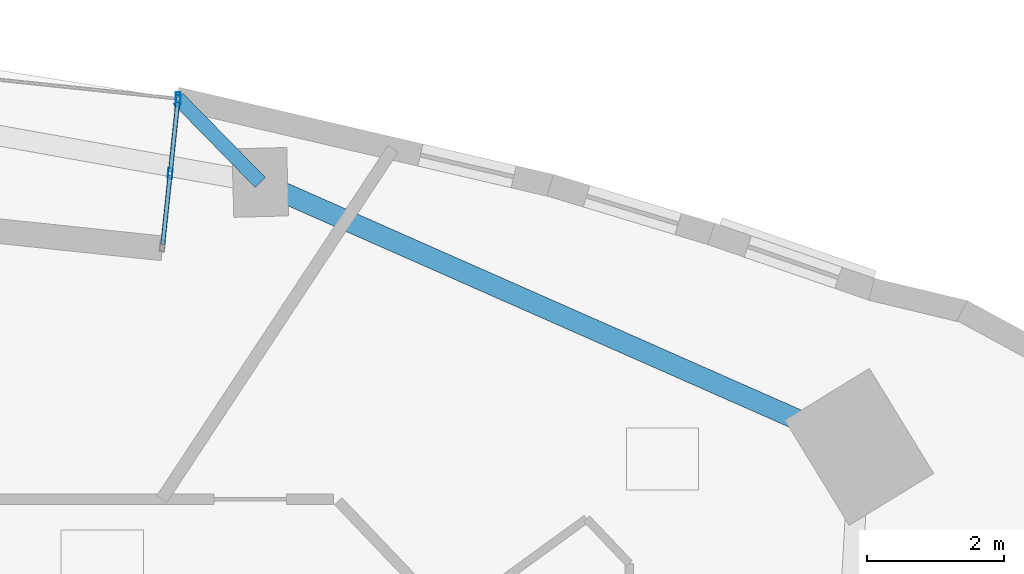
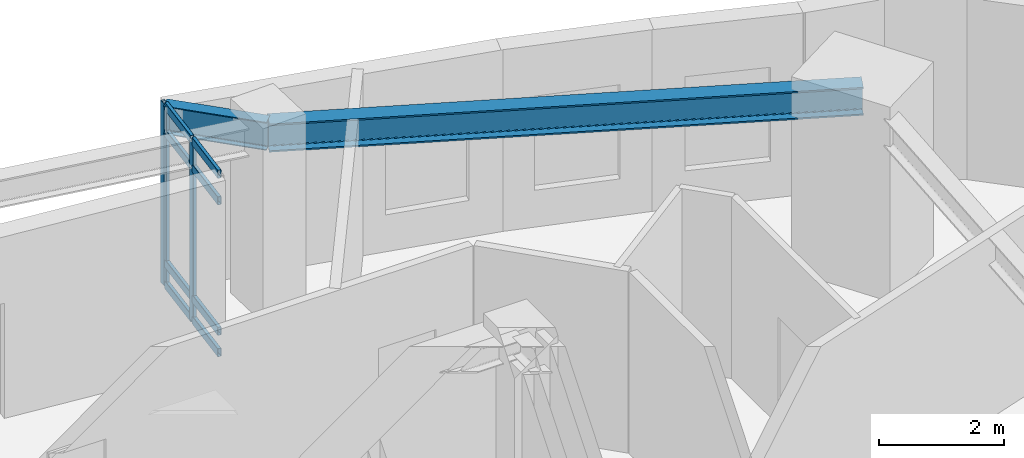
# One storey, part 3 of 11: 11 members, 2 beams, 1 element without a shape of its own.
"""IFC4 building model written with IfcOpenShell, lengths in metres."""

from ifc_helpers import new_model, si_unit, direction, frame, origin, origin_2d, place, context, subcontext, project, spatial, hollow_rectangle, i_section, extrude, material, layer, layer_set, material_profile, profile_set, type_object, element, aggregate, save


model = new_model("IFC4")

# Units and contexts
model_context = context("Model", 3, precision=1e-05, world=origin(), true_north=direction((0.0, 1.0)))
body_context = subcontext(model_context, "Body", "Model", "MODEL_VIEW")
ifc_project = project(units=[si_unit("LENGTHUNIT", "METRE"), si_unit("AREAUNIT", "SQUARE_METRE"), si_unit("VOLUMEUNIT", "CUBIC_METRE"), si_unit("PLANEANGLEUNIT", "RADIAN"), si_unit("MASSUNIT", "GRAM", prefix="KILO")], contexts=[model_context])

# Site, building, storey
site_placement = place(None, origin())
site = spatial("IfcSite", under=ifc_project, at=site_placement, CompositionType="ELEMENT")
building_placement = place(site_placement, origin())
building = spatial("IfcBuilding", under=site, at=building_placement, Name="Ndelora Gate Hotel", CompositionType="ELEMENT")
storey_placement = place(building_placement, frame((0.0, 0.0, 186.550048828125)))
storey = spatial("IfcBuildingStorey", under=building, at=storey_placement, Name="L46", CompositionType="ELEMENT", Elevation=186.550048828125)

# Beams
ifc_material_1 = material(Name="Steel S355", Category="steel")
ifc_material_profile_1 = material_profile(ifc_material_1, i_section(OverallWidth=0.2099609375, OverallDepth=0.550048828125, WebThickness=0.010986328125, FlangeThickness=0.01708984375, FilletRadius=0.02392578125, at=origin_2d()), Name="IPE 550")
ifc_profile_set_1 = profile_set([ifc_material_profile_1], Name="Steel S355")
beam_type_1 = type_object("IfcBeamType", Name="BM-RAD-550", PredefinedType="BEAM", material=ifc_profile_set_1)
beam_1_placement = place(storey_placement, frame((7.50830078125, 13.828369140625, 3.27490234375), z_axis=(-0.69995182335, 0.71419006223, 0.0), x_axis=(-0.71419006223, -0.69995182335, 0.0)))
element("IfcBeam", 1, at=beam_1_placement, inside=storey, type_object=beam_type_1, Name="L46 Sky-Garden Loggia Column Bracket 1", PredefinedType="BEAM", context=body_context, shape_type="SweptSolid", body=[
    extrude(i_section(OverallWidth=0.2099609375, OverallDepth=0.550048828125, WebThickness=0.010986328125, FlangeThickness=0.01708984375, FilletRadius=0.02392578125, at=origin_2d()), origin(), (0.0, 0.0, 1.0), 1.714599609375),
])
ifc_material_profile_2 = material_profile(ifc_material_1, i_section(OverallWidth=0.300048828125, OverallDepth=0.550048828125, WebThickness=0.014892578125, FlangeThickness=0.029052734375, FilletRadius=0.027099609375, at=origin_2d()), Name="HEB 550")
ifc_profile_set_2 = profile_set([ifc_material_profile_2], Name="Steel S355")
beam_type_2 = type_object("IfcBeamType", Name="BM-RING-550", PredefinedType="SPANDREL", material=ifc_profile_set_2)
beam_2_placement = place(storey_placement, frame((16.26025390625, 9.96435546875, 3.27490234375), z_axis=(-0.914807449647, 0.403890245078, 0.0), x_axis=(-0.403890245078, -0.914807449647, 0.0)))
element("IfcBeam", 2, at=beam_2_placement, inside=storey, type_object=beam_type_2, Name="L46 Perimeter Spandrel Girder 9", PredefinedType="SPANDREL", context=body_context, shape_type="SweptSolid", body=[
    extrude(i_section(OverallWidth=0.300048828125, OverallDepth=0.550048828125, WebThickness=0.014892578125, FlangeThickness=0.029052734375, FilletRadius=0.027099609375, at=origin_2d()), origin(), (0.0, 0.0, 1.0), 9.56689453125),
])

# Curtain wall, members
ifc_material_2 = material(Name="Bronze Anodised Unitised Aluminium and Low-E Glass", Category="aluminium")
ifc_layer = layer(ifc_material_2, 0.199951171875)
ifc_layer_set = layer_set([ifc_layer], Name="Bronze Anodised Unitised Aluminium and Low-E Glass")
curtain_wall_type = type_object("IfcCurtainWallType", Name="CW-SYS-3", PredefinedType="NOTDEFINED", material=ifc_layer_set)
curtain_wall_placement = place(storey_placement, origin())
curtain_wall = element("IfcCurtainWall", 3, at=curtain_wall_placement, inside=storey, type_object=curtain_wall_type, Name="L46 Sky-Garden Loggia Side Curtain Wall CW3-1", PredefinedType="NOTDEFINED")
ifc_material_3 = material(Name="Bronze Anodised Aluminium 6063-T6", Category="aluminium")
ifc_material_profile_3 = material_profile(ifc_material_3, hollow_rectangle(XDim=0.06494140625, YDim=0.159912109375, WallThickness=0.00390625, InnerFilletRadius=0.00390625, OuterFilletRadius=0.008056640625, at=origin_2d()), Name="ALU 160x65x4")
ifc_profile_set_3 = profile_set([ifc_material_profile_3], Name="Bronze Anodised Aluminium 6063-T6")
member_type_1 = type_object("IfcMemberType", Name="MB-CW-MUL150", PredefinedType="MULLION", material=ifc_profile_set_3)
member_1_placement = place(storey_placement, frame((6.193115234375, 13.958984375, -0.004150390625), z_axis=(0.0, 0.0, 1.0), x_axis=(-0.994525111167, 0.104497862459, 0.0)))
member_1 = element("IfcMember", 4, at=member_1_placement, type_object=member_type_1, Name="CW3 mullion 2", PredefinedType="MULLION", context=body_context, shape_type="SweptSolid", body=[
    extrude(hollow_rectangle(XDim=0.06494140625, YDim=0.159912109375, WallThickness=0.00390625, InnerFilletRadius=0.00390625, OuterFilletRadius=0.008056640625, at=origin_2d()), origin(), (0.0, 0.0, 1.0), 3.55810546875),
])
member_2_placement = place(storey_placement, frame((6.3046875, 15.020751953125, -0.004150390625), z_axis=(0.0, 0.0, 1.0), x_axis=(-0.994525111167, 0.104497862459, 0.0)))
member_2 = element("IfcMember", 5, at=member_2_placement, type_object=member_type_1, Name="CW3 mullion 3", PredefinedType="MULLION", context=body_context, shape_type="SweptSolid", body=[
    extrude(hollow_rectangle(XDim=0.06494140625, YDim=0.159912109375, WallThickness=0.00390625, InnerFilletRadius=0.00390625, OuterFilletRadius=0.008056640625, at=origin_2d()), origin(), (0.0, 0.0, 1.0), 3.55810546875),
])
ifc_material_profile_4 = material_profile(ifc_material_3, hollow_rectangle(XDim=0.070068359375, YDim=0.179931640625, WallThickness=0.0048828125, InnerFilletRadius=0.0048828125, OuterFilletRadius=0.010009765625, at=origin_2d()), Name="ALU 180x70x5")
ifc_profile_set_4 = profile_set([ifc_material_profile_4], Name="Bronze Anodised Aluminium 6063-T6")
member_type_2 = type_object("IfcMemberType", Name="MB-CW-MUL180", PredefinedType="MULLION", material=ifc_profile_set_4)
member_3_placement = place(storey_placement, frame((6.30810546875, 15.052978515625, 0.0), z_axis=(0.0, 0.0, 1.0), x_axis=(1.0, 0.0, 0.0)))
member_3 = element("IfcMember", 6, at=member_3_placement, type_object=member_type_2, Name="L46 Sky-Garden Loggia Corner Mullion Post 1", PredefinedType="MULLION", context=body_context, shape_type="SweptSolid", body=[
    extrude(hollow_rectangle(XDim=0.070068359375, YDim=0.179931640625, WallThickness=0.0048828125, InnerFilletRadius=0.0048828125, OuterFilletRadius=0.010009765625, at=origin_2d()), origin(), (0.0, 0.0, 1.0), 3.550048828125),
])
ifc_material_profile_5 = material_profile(ifc_material_3, hollow_rectangle(XDim=0.06494140625, YDim=0.159912109375, WallThickness=0.00390625, InnerFilletRadius=0.00390625, OuterFilletRadius=0.008056640625, at=origin_2d()), Name="ALU 160x65x4")
ifc_profile_set_5 = profile_set([ifc_material_profile_5], Name="Bronze Anodised Aluminium 6063-T6")
member_type_3 = type_object("IfcMemberType", Name="MB-CW-TRN150", PredefinedType="USERDEFINED", material=ifc_profile_set_5)
member_4_placement = place(storey_placement, frame((6.084228515625, 12.923583984375, 0.032470703125), z_axis=(0.104434260277, 0.994531791991, 0.0), x_axis=(-0.994531791991, 0.104434260277, 0.0)))
member_4 = element("IfcMember", 7, at=member_4_placement, type_object=member_type_3, Name="CW3 transom 1.1", ObjectType="TRANSOM", PredefinedType="USERDEFINED", context=body_context, shape_type="SweptSolid", body=[
    extrude(hollow_rectangle(XDim=0.06494140625, YDim=0.159912109375, WallThickness=0.00390625, InnerFilletRadius=0.00390625, OuterFilletRadius=0.008056640625, at=origin_2d()), origin(), (0.0, 0.0, 1.0), 1.0146484375),
])
member_5_placement = place(storey_placement, frame((6.084228515625, 12.923583984375, 0.449951171875), z_axis=(0.104434260277, 0.994531791991, 0.0), x_axis=(-0.994531791991, 0.104434260277, 0.0)))
member_5 = element("IfcMember", 8, at=member_5_placement, type_object=member_type_3, Name="CW3 transom 1.2", ObjectType="TRANSOM", PredefinedType="USERDEFINED", context=body_context, shape_type="SweptSolid", body=[
    extrude(hollow_rectangle(XDim=0.06494140625, YDim=0.159912109375, WallThickness=0.00390625, InnerFilletRadius=0.00390625, OuterFilletRadius=0.008056640625, at=origin_2d()), origin(), (0.0, 0.0, 1.0), 1.0146484375),
])
member_6_placement = place(storey_placement, frame((6.084228515625, 12.923583984375, 3.0), z_axis=(0.104434260277, 0.994531791991, 0.0), x_axis=(-0.994531791991, 0.104434260277, 0.0)))
member_6 = element("IfcMember", 9, at=member_6_placement, type_object=member_type_3, Name="CW3 transom 1.3", ObjectType="TRANSOM", PredefinedType="USERDEFINED", context=body_context, shape_type="SweptSolid", body=[
    extrude(hollow_rectangle(XDim=0.06494140625, YDim=0.159912109375, WallThickness=0.00390625, InnerFilletRadius=0.00390625, OuterFilletRadius=0.008056640625, at=origin_2d()), origin(), (0.0, 0.0, 1.0), 1.0146484375),
])
member_7_placement = place(storey_placement, frame((6.084228515625, 12.923583984375, 3.517333984375), z_axis=(0.104434260277, 0.994531791991, 0.0), x_axis=(-0.994531791991, 0.104434260277, 0.0)))
member_7 = element("IfcMember", 10, at=member_7_placement, type_object=member_type_3, Name="CW3 transom 1.4", ObjectType="TRANSOM", PredefinedType="USERDEFINED", context=body_context, shape_type="SweptSolid", body=[
    extrude(hollow_rectangle(XDim=0.06494140625, YDim=0.159912109375, WallThickness=0.00390625, InnerFilletRadius=0.00390625, OuterFilletRadius=0.008056640625, at=origin_2d()), origin(), (0.0, 0.0, 1.0), 1.0146484375),
])
member_8_placement = place(storey_placement, frame((6.19580078125, 13.9853515625, 0.032470703125), z_axis=(0.104434260277, 0.994531791991, 0.0), x_axis=(-0.994531791991, 0.104434260277, 0.0)))
member_8 = element("IfcMember", 11, at=member_8_placement, type_object=member_type_3, Name="CW3 transom 2.1", ObjectType="TRANSOM", PredefinedType="USERDEFINED", context=body_context, shape_type="SweptSolid", body=[
    extrude(hollow_rectangle(XDim=0.06494140625, YDim=0.159912109375, WallThickness=0.00390625, InnerFilletRadius=0.00390625, OuterFilletRadius=0.008056640625, at=origin_2d()), origin(), (0.0, 0.0, 1.0), 1.0146484375),
])
member_9_placement = place(storey_placement, frame((6.19580078125, 13.9853515625, 0.449951171875), z_axis=(0.104434260277, 0.994531791991, 0.0), x_axis=(-0.994531791991, 0.104434260277, 0.0)))
member_9 = element("IfcMember", 12, at=member_9_placement, type_object=member_type_3, Name="CW3 transom 2.2", ObjectType="TRANSOM", PredefinedType="USERDEFINED", context=body_context, shape_type="SweptSolid", body=[
    extrude(hollow_rectangle(XDim=0.06494140625, YDim=0.159912109375, WallThickness=0.00390625, InnerFilletRadius=0.00390625, OuterFilletRadius=0.008056640625, at=origin_2d()), origin(), (0.0, 0.0, 1.0), 1.0146484375),
])
member_10_placement = place(storey_placement, frame((6.19580078125, 13.9853515625, 3.0), z_axis=(0.104434260277, 0.994531791991, 0.0), x_axis=(-0.994531791991, 0.104434260277, 0.0)))
member_10 = element("IfcMember", 13, at=member_10_placement, type_object=member_type_3, Name="CW3 transom 2.3", ObjectType="TRANSOM", PredefinedType="USERDEFINED", context=body_context, shape_type="SweptSolid", body=[
    extrude(hollow_rectangle(XDim=0.06494140625, YDim=0.159912109375, WallThickness=0.00390625, InnerFilletRadius=0.00390625, OuterFilletRadius=0.008056640625, at=origin_2d()), origin(), (0.0, 0.0, 1.0), 1.0146484375),
])
member_11_placement = place(storey_placement, frame((6.19580078125, 13.9853515625, 3.517333984375), z_axis=(0.104434260277, 0.994531791991, 0.0), x_axis=(-0.994531791991, 0.104434260277, 0.0)))
member_11 = element("IfcMember", 14, at=member_11_placement, type_object=member_type_3, Name="CW3 transom 2.4", ObjectType="TRANSOM", PredefinedType="USERDEFINED", context=body_context, shape_type="SweptSolid", body=[
    extrude(hollow_rectangle(XDim=0.06494140625, YDim=0.159912109375, WallThickness=0.00390625, InnerFilletRadius=0.00390625, OuterFilletRadius=0.008056640625, at=origin_2d()), origin(), (0.0, 0.0, 1.0), 1.0146484375),
])
aggregate(curtain_wall, [member_1, member_2, member_4, member_5, member_6, member_7, member_8, member_9, member_10, member_11, member_3])

save(model, "model.ifc")
